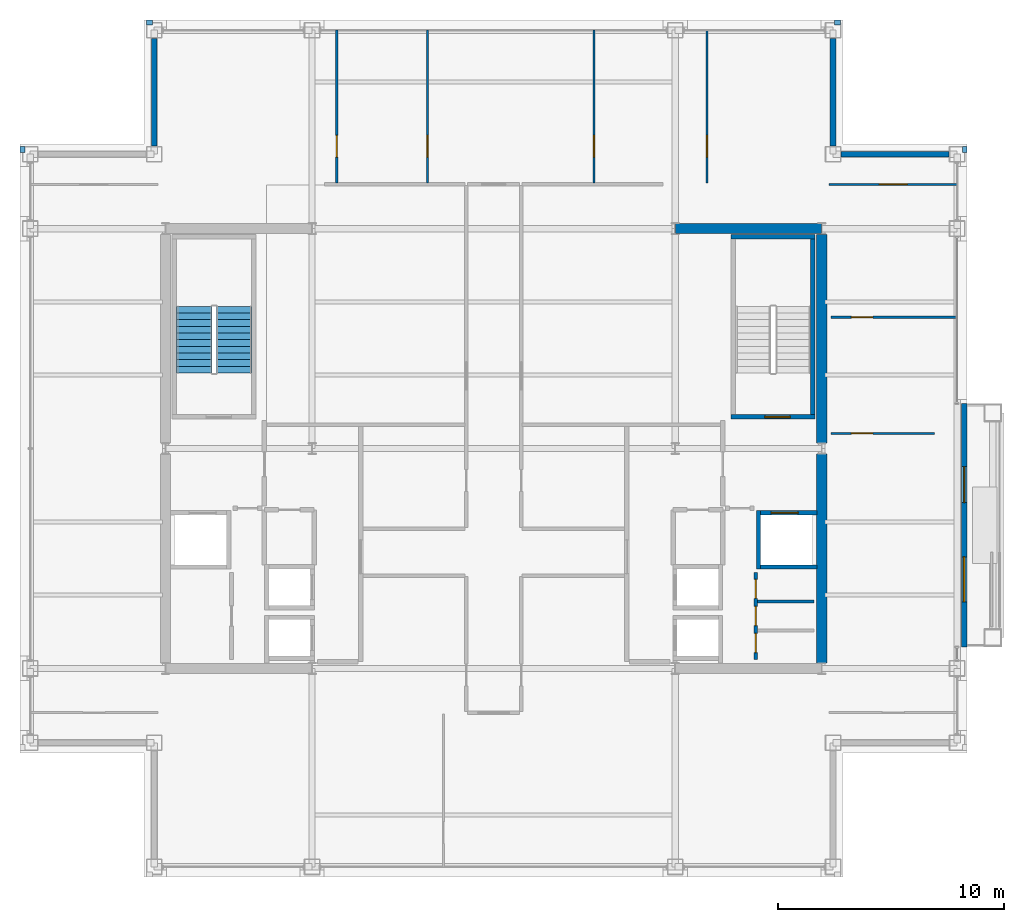
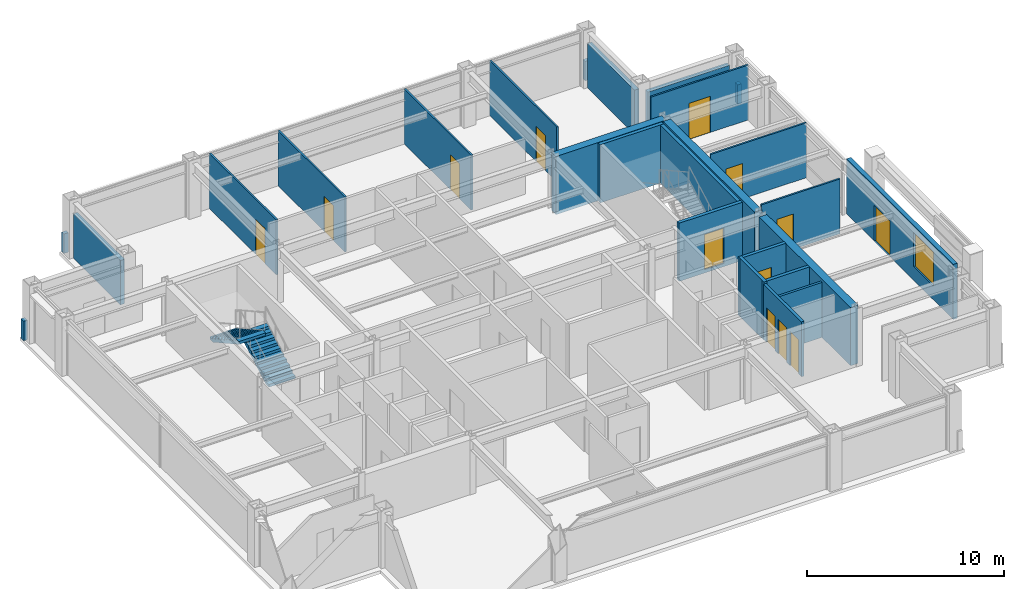
# One storey, part 26 of 29: 26 walls, 13 doors, 2 stair flights, 1 window, 14 openings, 1 element without a shape of its own.
"""IFC4 building model written with IfcOpenShell, lengths in metres."""

from ifc_helpers import new_model, si_unit, direction, frame, frame_2d, origin, place, context, subcontext, project, spatial, polyline, rectangle, outline, extrude, material, layer, layer_set, type_object, element, fill, aggregate, save


model = new_model("IFC4")

# Units and contexts
model_context = context("Model", 3, precision=1e-05, world=origin(), true_north=direction((0.0, 1.0)))
body_context = subcontext(model_context, "Body", "Model", "MODEL_VIEW")
ifc_project = project(units=[si_unit("LENGTHUNIT", "METRE"), si_unit("AREAUNIT", "SQUARE_METRE"), si_unit("VOLUMEUNIT", "CUBIC_METRE"), si_unit("PLANEANGLEUNIT", "RADIAN"), si_unit("MASSUNIT", "GRAM", prefix="KILO")], contexts=[model_context])

# Site, building, storey
site_placement = place(None, origin())
site = spatial("IfcSite", under=ifc_project, at=site_placement, CompositionType="ELEMENT")
building_placement = place(site_placement, origin())
building = spatial("IfcBuilding", under=site, at=building_placement, Name="Brelmoor Portico Tower", CompositionType="ELEMENT")
storey_placement = place(building_placement, frame((0.0, 0.0, 201.89990234375)))
storey = spatial("IfcBuildingStorey", under=building, at=storey_placement, Name="L53", CompositionType="ELEMENT", Elevation=201.89990234375)

# Walls
ifc_material_1 = material(Name="Concrete C50", Category="concrete")
ifc_layer_1 = layer(ifc_material_1, 0.449951171875)
ifc_layer_set_1 = layer_set([ifc_layer_1], Name="Concrete C50")
wall_type_1 = type_object("IfcWallType", Name="WL-CORE-450", PredefinedType="SHEAR", material=ifc_layer_set_1)
wall_1_placement = place(storey_placement, frame((8.070068359375, 9.75, -0.199951171875), z_axis=(0.0, 0.0, 1.0), x_axis=(1.0, 0.0, 0.0)))
element("IfcWall", 1, at=wall_1_placement, inside=storey, type_object=wall_type_1, Name="L53 EC North Shear Wall", PredefinedType="SHEAR", context=body_context, shape_type="SweptSolid", body=[
    extrude(rectangle(XDim=6.4599609375, YDim=0.449951171875, at=frame_2d((3.22998046875, 0.0))), origin(), (0.0, 0.0, 1.0), 3.60009765625),
])
for number, where, z_axis, x_axis, name in (
    (2, (14.550048828125, -9.5, -0.199951171875), (0.0, 0.0, 1.0), (0.0, 1.0, 0.0), "L53 EC Outer South Shear Wall"),
    (3, (14.550048828125, 0.25, -0.199951171875), (0.0, 0.0, 1.0), (0.0, 1.0, 0.0), "L53 EC Outer North Shear Wall"),
):
    element("IfcWall", number, at=place(storey_placement, frame(where, z_axis=z_axis, x_axis=x_axis)), inside=storey, type_object=wall_type_1, Name=name, PredefinedType="SHEAR", context=body_context, shape_type="SweptSolid", body=[
        extrude(rectangle(XDim=9.25, YDim=0.449951171875, at=frame_2d((4.625, 0.0))), origin(), (0.0, 0.0, 1.0), 3.60009765625),
    ])

# Wall, openings, door, window
ifc_material_2 = material(Name="Precast Concrete C40 Insulated Facade Wall", Category="concrete")
ifc_layer_2 = layer(ifc_material_2, 0.25)
ifc_layer_set_2 = layer_set([ifc_layer_2], Name="Precast Concrete C40 Insulated Facade Wall")
wall_type_2 = type_object("IfcWallType", Name="WL-EXT-250", PredefinedType="STANDARD", material=ifc_layer_set_2)
wall_2_placement = place(storey_placement, frame((20.860107421875, -8.800048828125, 0.0), z_axis=(0.0, 0.0, 1.0), x_axis=(0.0, 1.0, 0.0)))
wall_2 = element("IfcWall", 4, at=wall_2_placement, inside=storey, type_object=wall_type_2, Name="L53 Loggia Threshold Wall E-1", PredefinedType="STANDARD", context=body_context, shape_type="SweptSolid", body=[
    extrude(rectangle(XDim=10.800048828125, YDim=0.25, at=frame_2d((5.39990234375, 0.0))), origin(), (0.0, 0.0, 1.0), 3.400146484375),
])
opening_1_placement = place(wall_2_placement, frame((6.39990234375, 0.0, 0.0)))
opening_1 = element("IfcOpeningElement", 5, at=opening_1_placement, cuts=wall_2, Name="Opening D-TB1", PredefinedType="OPENING", context=body_context, shape_type="SweptSolid", body=[
    extrude(rectangle(XDim=1.60009765625, YDim=2.199951171875, at=frame_2d((0.800048828125, 1.10009765625))), frame((0.0, 0.135009765625, 0.0), z_axis=(0.0, -1.0, 0.0), x_axis=(1.0, 0.0, 0.0)), (0.0, 0.0, 1.0), 0.27001953125),
])
opening_2_placement = place(wall_2_placement, frame((2.0, 0.0, 0.85009765625)))
opening_2 = element("IfcOpeningElement", 6, at=opening_2_placement, cuts=wall_2, Name="Opening W-03", PredefinedType="OPENING", context=body_context, shape_type="SweptSolid", body=[
    extrude(rectangle(XDim=2.0, YDim=2.10009765625, at=frame_2d((1.0, 1.050048828125))), frame((0.0, 0.135009765625, 0.0), z_axis=(0.0, -1.0, 0.0), x_axis=(1.0, 0.0, 0.0)), (0.0, 0.0, 1.0), 0.27001953125),
])
ifc_material_3 = material(Name="Double-Leaf Thermally Broken Terrace Door", Category="aluminium")
door_type_1 = type_object("IfcDoorType", Name="DR-BALCONY-1600", OperationType="NOTDEFINED", PredefinedType="DOOR", material=ifc_material_3)
door_1_placement = place(opening_1_placement, origin())
door_1 = element("IfcDoor", 7, at=door_1_placement, inside=storey, type_object=door_type_1, Name="D-2251 L53 Tree Balcony Double Door E", OperationType="DOUBLE_DOOR_SINGLE_SWING", OverallHeight=2.199951171875, OverallWidth=1.60009765625, PredefinedType="DOOR", context=body_context, shape_type="SweptSolid", body=[
    extrude(rectangle(XDim=1.60009765625, YDim=2.199951171875, at=frame_2d((0.800048828125, 1.10009765625))), frame((0.0, 0.02490234375, 0.0), z_axis=(0.0, -1.0, 0.0), x_axis=(1.0, 0.0, 0.0)), (0.0, 0.0, 1.0), 0.050048828125),
])
fill(opening_1, door_1)
ifc_material_4 = material(Name="Thermally Broken Aluminium Low-E Window", Category="aluminium")
window_type = type_object("IfcWindowType", Name="WN-LOGGIA-2000x2100", PartitioningType="SINGLE_PANEL", PredefinedType="WINDOW", material=ifc_material_4)
window_placement = place(opening_2_placement, origin())
window = element("IfcWindow", 8, at=window_placement, inside=storey, type_object=window_type, Name="L53 Loggia Window E", OverallHeight=2.10009765625, OverallWidth=2.0, PartitioningType="SINGLE_PANEL", PredefinedType="WINDOW", context=body_context, shape_type="SweptSolid", body=[
    extrude(rectangle(XDim=2.0, YDim=2.10009765625, at=frame_2d((1.0, 1.050048828125))), frame((0.0, 0.030029296875, 0.0), z_axis=(0.0, -1.0, 0.0), x_axis=(1.0, 0.0, 0.0)), (0.0, 0.0, 1.0), 0.06005859375),
])
fill(opening_2, window)

# Walls
for number, where, z_axis, x_axis, name in (
    (9, (-15.050048828125, 13.409912109375, 0.0), (0.0, 0.0, 1.0), (0.0, 1.0, 0.0), "L53 Corner Notch Facade Wall NNWV1"),
    (10, (15.409912109375, 13.050048828125, 0.0), (0.0, 0.0, 1.0), (1.0, 0.0, 0.0), "L53 Corner Notch Facade Wall NNEH1"),
    (11, (15.050048828125, 13.409912109375, 0.0), (0.0, 0.0, 1.0), (0.0, 1.0, 0.0), "L53 Corner Notch Facade Wall NNEV1"),
):
    element("IfcWall", number, at=place(storey_placement, frame(where, z_axis=z_axis, x_axis=x_axis)), inside=storey, type_object=wall_type_2, Name=name, PredefinedType="STANDARD", context=body_context, shape_type="SweptSolid", body=[
        extrude(rectangle(XDim=4.780029296875, YDim=0.25, at=frame_2d((2.39013671875, 0.0))), origin(), (0.0, 0.0, 1.0), 2.75),
    ])
ifc_material_5 = material(Name="Concrete C40 Parapet Upstand", Category="concrete")
ifc_layer_3 = layer(ifc_material_5, 0.219970703125)
ifc_layer_set_3 = layer_set([ifc_layer_3], Name="Concrete C40 Parapet Upstand")
wall_type_3 = type_object("IfcWallType", Name="WL-PARAPET-220", PredefinedType="PARAPET", material=ifc_layer_set_3)
for number, where, z_axis, x_axis, name in (
    (12, (-15.389892578125, 18.889892578125, 0.0), (0.0, 0.0, 1.0), (1.0, 0.0, 0.0), "L53 Chamfer Vertex Parapet Pier NW1"),
    (13, (-20.889892578125, 13.1201171875, 0.0), (0.0, 0.0, 1.0), (0.0, 1.0, 0.0), "L53 Chamfer Vertex Parapet Pier NW2"),
    (14, (15.1201171875, 18.889892578125, 0.0), (0.0, 0.0, 1.0), (1.0, 0.0, 0.0), "L53 Chamfer Vertex Parapet Pier NE1"),
    (15, (20.889892578125, 13.1201171875, 0.0), (0.0, 0.0, 1.0), (0.0, 1.0, 0.0), "L53 Chamfer Vertex Parapet Pier NE2"),
):
    element("IfcWall", number, at=place(storey_placement, frame(where, z_axis=z_axis, x_axis=x_axis)), inside=storey, type_object=wall_type_3, Name=name, PredefinedType="PARAPET", context=body_context, shape_type="SweptSolid", body=[
        extrude(rectangle(XDim=0.269775390625, YDim=0.219970703125, at=frame_2d((0.134765625, 0.0))), origin(), (0.0, 0.0, 1.0), 1.2001953125),
    ])

# Wall, opening, door
ifc_material_6 = material(Name="Demountable Glazed Office Partition", Category="aluminium")
ifc_layer_4 = layer(ifc_material_6, 0.10009765625)
ifc_layer_set_4 = layer_set([ifc_layer_4], Name="Demountable Glazed Office Partition")
wall_type_4 = type_object("IfcWallType", Name="WL-PART-100", PredefinedType="PARTITIONING", material=ifc_layer_set_4)
wall_3_placement = place(storey_placement, frame((-6.955078125, 11.77001953125, 0.0), z_axis=(0.0, 0.0, 1.0), x_axis=(0.0, 1.0, 0.0)))
wall_3 = element("IfcWall", 16, at=wall_3_placement, inside=storey, type_object=wall_type_4, Name="L53 North Suite Partition 1", PredefinedType="PARTITIONING", context=body_context, shape_type="SweptSolid", body=[
    extrude(rectangle(XDim=6.7900390625, YDim=0.10009765625, at=frame_2d((3.39501953125, 0.0))), origin(), (0.0, 0.0, 1.0), 3.400146484375),
])
opening_3_placement = place(wall_3_placement, frame((1.14990234375, 0.0, 0.0)))
opening_3 = element("IfcOpeningElement", 17, at=opening_3_placement, cuts=wall_3, Name="Opening D-IN2", PredefinedType="OPENING", context=body_context, shape_type="SweptSolid", body=[
    extrude(rectangle(XDim=0.9599609375, YDim=2.179931640625, at=frame_2d((0.47998046875, 1.08984375))), frame((0.0, 0.06005859375, 0.0), z_axis=(0.0, -1.0, 0.0), x_axis=(1.0, 0.0, 0.0)), (0.0, 0.0, 1.0), 0.1201171875),
])
ifc_material_7 = material(Name="Lacquered Timber Suite Door", Category="wood")
door_type_2 = type_object("IfcDoorType", Name="DR-INT-950", OperationType="NOTDEFINED", PredefinedType="DOOR", material=ifc_material_7)
door_2_placement = place(opening_3_placement, origin())
door_2 = element("IfcDoor", 18, at=door_2_placement, inside=storey, type_object=door_type_2, Name="D-2239 L53 North Suite Connecting Door 1", OperationType="SINGLE_SWING_RIGHT", OverallHeight=2.179931640625, OverallWidth=0.9599609375, PredefinedType="DOOR", context=body_context, shape_type="SweptSolid", body=[
    extrude(rectangle(XDim=0.9599609375, YDim=2.179931640625, at=frame_2d((0.47998046875, 1.08984375))), frame((0.0, 0.02490234375, 0.0), z_axis=(0.0, -1.0, 0.0), x_axis=(1.0, 0.0, 0.0)), (0.0, 0.0, 1.0), 0.050048828125),
])
fill(opening_3, door_2)

wall_4_placement = place(storey_placement, frame((-2.9345703125, 11.77001953125, 0.0), z_axis=(0.0, 0.0, 1.0), x_axis=(0.0, 1.0, 0.0)))
wall_4 = element("IfcWall", 19, at=wall_4_placement, inside=storey, type_object=wall_type_4, Name="L53 North Suite Partition 2", PredefinedType="PARTITIONING", context=body_context, shape_type="SweptSolid", body=[
    extrude(rectangle(XDim=6.7900390625, YDim=0.10009765625, at=frame_2d((3.39501953125, 0.0))), origin(), (0.0, 0.0, 1.0), 3.400146484375),
])
opening_4_placement = place(wall_4_placement, frame((1.14990234375, 0.0, 0.0)))
opening_4 = element("IfcOpeningElement", 20, at=opening_4_placement, cuts=wall_4, Name="Opening D-IN2", PredefinedType="OPENING", context=body_context, shape_type="SweptSolid", body=[
    extrude(rectangle(XDim=0.9599609375, YDim=2.179931640625, at=frame_2d((0.47998046875, 1.08984375))), frame((0.0, 0.06005859375, 0.0), z_axis=(0.0, -1.0, 0.0), x_axis=(1.0, 0.0, 0.0)), (0.0, 0.0, 1.0), 0.1201171875),
])
door_3_placement = place(opening_4_placement, origin())
door_3 = element("IfcDoor", 21, at=door_3_placement, inside=storey, type_object=door_type_2, Name="D-2240 L53 North Suite Connecting Door 2", OperationType="SINGLE_SWING_LEFT", OverallHeight=2.179931640625, OverallWidth=0.9599609375, PredefinedType="DOOR", context=body_context, shape_type="SweptSolid", body=[
    extrude(rectangle(XDim=0.9599609375, YDim=2.179931640625, at=frame_2d((0.47998046875, 1.08984375))), frame((0.0, 0.02490234375, 0.0), z_axis=(0.0, -1.0, 0.0), x_axis=(1.0, 0.0, 0.0)), (0.0, 0.0, 1.0), 0.050048828125),
])
fill(opening_4, door_3)

wall_5_placement = place(storey_placement, frame((4.451171875, 11.77001953125, 0.0), z_axis=(0.0, 0.0, 1.0), x_axis=(0.0, 1.0, 0.0)))
wall_5 = element("IfcWall", 22, at=wall_5_placement, inside=storey, type_object=wall_type_4, Name="L53 North Suite Partition 3", PredefinedType="PARTITIONING", context=body_context, shape_type="SweptSolid", body=[
    extrude(rectangle(XDim=6.7900390625, YDim=0.10009765625, at=frame_2d((3.39501953125, 0.0))), origin(), (0.0, 0.0, 1.0), 3.400146484375),
])
opening_5_placement = place(wall_5_placement, frame((1.14990234375, 0.0, 0.0)))
opening_5 = element("IfcOpeningElement", 23, at=opening_5_placement, cuts=wall_5, Name="Opening D-IN2", PredefinedType="OPENING", context=body_context, shape_type="SweptSolid", body=[
    extrude(rectangle(XDim=0.9599609375, YDim=2.179931640625, at=frame_2d((0.47998046875, 1.08984375))), frame((0.0, 0.06005859375, 0.0), z_axis=(0.0, -1.0, 0.0), x_axis=(1.0, 0.0, 0.0)), (0.0, 0.0, 1.0), 0.1201171875),
])
door_4_placement = place(opening_5_placement, origin())
door_4 = element("IfcDoor", 24, at=door_4_placement, inside=storey, type_object=door_type_2, Name="D-2241 L53 North Suite Connecting Door 3", OperationType="SINGLE_SWING_RIGHT", OverallHeight=2.179931640625, OverallWidth=0.9599609375, PredefinedType="DOOR", context=body_context, shape_type="SweptSolid", body=[
    extrude(rectangle(XDim=0.9599609375, YDim=2.179931640625, at=frame_2d((0.47998046875, 1.08984375))), frame((0.0, 0.02490234375, 0.0), z_axis=(0.0, -1.0, 0.0), x_axis=(1.0, 0.0, 0.0)), (0.0, 0.0, 1.0), 0.050048828125),
])
fill(opening_5, door_4)

wall_6_placement = place(storey_placement, frame((9.458740234375, 11.77001953125, 0.0), z_axis=(0.0, 0.0, 1.0), x_axis=(0.0, 1.0, 0.0)))
wall_6 = element("IfcWall", 25, at=wall_6_placement, inside=storey, type_object=wall_type_4, Name="L53 North Suite Partition 4", PredefinedType="PARTITIONING", context=body_context, shape_type="SweptSolid", body=[
    extrude(rectangle(XDim=6.7900390625, YDim=0.10009765625, at=frame_2d((3.39501953125, 0.0))), origin(), (0.0, 0.0, 1.0), 3.400146484375),
])
opening_6_placement = place(wall_6_placement, frame((1.14990234375, 0.0, 0.0)))
opening_6 = element("IfcOpeningElement", 26, at=opening_6_placement, cuts=wall_6, Name="Opening D-IN2", PredefinedType="OPENING", context=body_context, shape_type="SweptSolid", body=[
    extrude(rectangle(XDim=0.9599609375, YDim=2.179931640625, at=frame_2d((0.47998046875, 1.08984375))), frame((0.0, 0.06005859375, 0.0), z_axis=(0.0, -1.0, 0.0), x_axis=(1.0, 0.0, 0.0)), (0.0, 0.0, 1.0), 0.1201171875),
])
door_5_placement = place(opening_6_placement, origin())
door_5 = element("IfcDoor", 27, at=door_5_placement, inside=storey, type_object=door_type_2, Name="D-2242 L53 North Suite Connecting Door 4", OperationType="SINGLE_SWING_LEFT", OverallHeight=2.179931640625, OverallWidth=0.9599609375, PredefinedType="DOOR", context=body_context, shape_type="SweptSolid", body=[
    extrude(rectangle(XDim=0.9599609375, YDim=2.179931640625, at=frame_2d((0.47998046875, 1.08984375))), frame((0.0, 0.02490234375, 0.0), z_axis=(0.0, -1.0, 0.0), x_axis=(1.0, 0.0, 0.0)), (0.0, 0.0, 1.0), 0.050048828125),
])
fill(opening_6, door_5)

wall_7_placement = place(storey_placement, frame((14.8798828125, 11.7099609375, 0.0), z_axis=(0.0, 0.0, 1.0), x_axis=(1.0, 0.0, 0.0)))
wall_7 = element("IfcWall", 28, at=wall_7_placement, inside=storey, type_object=wall_type_4, Name="L53 North Wing Suite Wall ER", PredefinedType="PARTITIONING", context=body_context, shape_type="SweptSolid", body=[
    extrude(rectangle(XDim=5.68017578125, YDim=0.10009765625, at=frame_2d((2.840087890625, 0.0))), origin(), (0.0, 0.0, 1.0), 3.400146484375),
])
opening_7_placement = place(wall_7_placement, frame((2.219970703125, 0.0, 0.0)))
opening_7 = element("IfcOpeningElement", 29, at=opening_7_placement, cuts=wall_7, Name="Opening D-SU1", PredefinedType="OPENING", context=body_context, shape_type="SweptSolid", body=[
    extrude(rectangle(XDim=1.239990234375, YDim=2.239990234375, at=frame_2d((0.6201171875, 1.1201171875))), frame((0.0, 0.06005859375, 0.0), z_axis=(0.0, -1.0, 0.0), x_axis=(1.0, 0.0, 0.0)), (0.0, 0.0, 1.0), 0.1201171875),
])
ifc_material_8 = material(Name="Glazed Timber Executive Suite Door", Category="wood")
door_type_3 = type_object("IfcDoorType", Name="DR-SUITE-1200", OperationType="NOTDEFINED", PredefinedType="DOOR", material=ifc_material_8)
door_6_placement = place(opening_7_placement, origin())
door_6 = element("IfcDoor", 30, at=door_6_placement, inside=storey, type_object=door_type_3, Name="D-2243 L53 ER Wing Suite Connecting Door", OperationType="SINGLE_SWING_RIGHT", OverallHeight=2.239990234375, OverallWidth=1.239990234375, PredefinedType="DOOR", context=body_context, shape_type="SweptSolid", body=[
    extrude(rectangle(XDim=1.239990234375, YDim=2.239990234375, at=frame_2d((0.6201171875, 1.1201171875))), frame((0.0, 0.02490234375, 0.0), z_axis=(0.0, -1.0, 0.0), x_axis=(1.0, 0.0, 0.0)), (0.0, 0.0, 1.0), 0.050048828125),
])
fill(opening_7, door_6)

wall_8_placement = place(storey_placement, frame((14.9599609375, 0.669921875, 0.0), z_axis=(0.0, 0.0, 1.0), x_axis=(1.0, 0.0, 0.0)))
wall_8 = element("IfcWall", 31, at=wall_8_placement, inside=storey, type_object=wall_type_4, Name="L53 E Wing Partition 1", PredefinedType="PARTITIONING", context=body_context, shape_type="SweptSolid", body=[
    extrude(rectangle(XDim=4.590087890625, YDim=0.10009765625, at=frame_2d((2.294921875, 0.0))), origin(), (0.0, 0.0, 1.0), 3.400146484375),
])
opening_8_placement = place(wall_8_placement, frame((0.89990234375, 0.0, 0.0)))
opening_8 = element("IfcOpeningElement", 32, at=opening_8_placement, cuts=wall_8, Name="Opening D-IN2", PredefinedType="OPENING", context=body_context, shape_type="SweptSolid", body=[
    extrude(rectangle(XDim=0.9599609375, YDim=2.179931640625, at=frame_2d((0.47998046875, 1.08984375))), frame((0.0, 0.06005859375, 0.0), z_axis=(0.0, -1.0, 0.0), x_axis=(1.0, 0.0, 0.0)), (0.0, 0.0, 1.0), 0.1201171875),
])
door_7_placement = place(opening_8_placement, origin())
door_7 = element("IfcDoor", 33, at=door_7_placement, inside=storey, type_object=door_type_2, Name="D-2252 L53 E Wing Suite Connecting Door 1", OperationType="SINGLE_SWING_RIGHT", OverallHeight=2.179931640625, OverallWidth=0.9599609375, PredefinedType="DOOR", context=body_context, shape_type="SweptSolid", body=[
    extrude(rectangle(XDim=0.9599609375, YDim=2.179931640625, at=frame_2d((0.47998046875, 1.08984375))), frame((0.0, 0.02490234375, 0.0), z_axis=(0.0, -1.0, 0.0), x_axis=(1.0, 0.0, 0.0)), (0.0, 0.0, 1.0), 0.050048828125),
])
fill(opening_8, door_7)

wall_9_placement = place(storey_placement, frame((14.9599609375, 5.81494140625, 0.0), z_axis=(0.0, 0.0, 1.0), x_axis=(1.0, 0.0, 0.0)))
wall_9 = element("IfcWall", 34, at=wall_9_placement, inside=storey, type_object=wall_type_4, Name="L53 E Wing Partition 2", PredefinedType="PARTITIONING", context=body_context, shape_type="SweptSolid", body=[
    extrude(rectangle(XDim=5.60009765625, YDim=0.10009765625, at=frame_2d((2.800048828125, 0.0))), origin(), (0.0, 0.0, 1.0), 3.400146484375),
])
opening_9_placement = place(wall_9_placement, frame((0.89990234375, 0.0, 0.0)))
opening_9 = element("IfcOpeningElement", 35, at=opening_9_placement, cuts=wall_9, Name="Opening D-IN2", PredefinedType="OPENING", context=body_context, shape_type="SweptSolid", body=[
    extrude(rectangle(XDim=0.9599609375, YDim=2.179931640625, at=frame_2d((0.47998046875, 1.08984375))), frame((0.0, 0.06005859375, 0.0), z_axis=(0.0, -1.0, 0.0), x_axis=(1.0, 0.0, 0.0)), (0.0, 0.0, 1.0), 0.1201171875),
])
door_8_placement = place(opening_9_placement, origin())
door_8 = element("IfcDoor", 36, at=door_8_placement, inside=storey, type_object=door_type_2, Name="D-2253 L53 E Wing Suite Connecting Door 2", OperationType="SINGLE_SWING_LEFT", OverallHeight=2.179931640625, OverallWidth=0.9599609375, PredefinedType="DOOR", context=body_context, shape_type="SweptSolid", body=[
    extrude(rectangle(XDim=0.9599609375, YDim=2.179931640625, at=frame_2d((0.47998046875, 1.08984375))), frame((0.0, 0.02490234375, 0.0), z_axis=(0.0, -1.0, 0.0), x_axis=(1.0, 0.0, 0.0)), (0.0, 0.0, 1.0), 0.050048828125),
])
fill(opening_9, door_8)

# Wall
ifc_material_9 = material(Name="Insulated Stud Suite Partition", Category="gypsum")
ifc_layer_5 = layer(ifc_material_9, 0.139892578125)
ifc_layer_set_5 = layer_set([ifc_layer_5], Name="Insulated Stud Suite Partition")
wall_type_5 = type_object("IfcWallType", Name="WL-PART-140", PredefinedType="PARTITIONING", material=ifc_layer_set_5)
wall_10_placement = place(storey_placement, frame((11.699951171875, -6.783203125, 0.0), z_axis=(0.0, 0.0, 1.0), x_axis=(1.0, 0.0, 0.0)))
element("IfcWall", 37, at=wall_10_placement, inside=storey, type_object=wall_type_5, Name="L53 E Core WC Divider 2", PredefinedType="PARTITIONING", context=body_context, shape_type="SweptSolid", body=[
    extrude(rectangle(XDim=2.5, YDim=0.139892578125, at=frame_2d((1.25, 0.0))), origin(), (0.0, 0.0, 1.0), 3.400146484375),
])

# Wall, openings, doors
ifc_material_10 = material(Name="Twin-Frame Acoustic Partition", Category="gypsum")
ifc_layer_6 = layer(ifc_material_10, 0.159912109375)
ifc_layer_set_6 = layer_set([ifc_layer_6], Name="Twin-Frame Acoustic Partition")
wall_type_6 = type_object("IfcWallType", Name="WL-PART-160", PredefinedType="PARTITIONING", material=ifc_layer_set_6)
wall_11_placement = place(storey_placement, frame((11.6201171875, -9.35009765625, 0.0), z_axis=(0.0, 0.0, 1.0), x_axis=(0.0, 1.0, 0.0)))
wall_11 = element("IfcWall", 38, at=wall_11_placement, inside=storey, type_object=wall_type_6, Name="L53 E Core Service Front Wall", PredefinedType="PARTITIONING", context=body_context, shape_type="SweptSolid", body=[
    extrude(rectangle(XDim=3.85009765625, YDim=0.159912109375, at=frame_2d((1.925048828125, 0.0))), origin(), (0.0, 0.0, 1.0), 3.400146484375),
])
opening_10_placement = place(wall_11_placement, frame((0.300048828125, 0.0, 0.0)))
opening_10 = element("IfcOpeningElement", 39, at=opening_10_placement, cuts=wall_11, Name="Opening D-WC1", PredefinedType="OPENING", context=body_context, shape_type="SweptSolid", body=[
    extrude(rectangle(XDim=0.85009765625, YDim=2.1201171875, at=frame_2d((0.425048828125, 1.06005859375))), frame((0.0, 0.08984375, 0.0), z_axis=(0.0, -1.0, 0.0), x_axis=(1.0, 0.0, 0.0)), (0.0, 0.0, 1.0), 0.179931640625),
])
opening_11_placement = place(wall_11_placement, frame((1.5, 0.0, 0.0)))
opening_11 = element("IfcOpeningElement", 40, at=opening_11_placement, cuts=wall_11, Name="Opening D-WC1", PredefinedType="OPENING", context=body_context, shape_type="SweptSolid", body=[
    extrude(rectangle(XDim=0.85009765625, YDim=2.1201171875, at=frame_2d((0.425048828125, 1.06005859375))), frame((0.0, 0.08984375, 0.0), z_axis=(0.0, -1.0, 0.0), x_axis=(1.0, 0.0, 0.0)), (0.0, 0.0, 1.0), 0.179931640625),
])
opening_12_placement = place(wall_11_placement, frame((2.699951171875, 0.0, 0.0)))
opening_12 = element("IfcOpeningElement", 41, at=opening_12_placement, cuts=wall_11, Name="Opening D-WC1", PredefinedType="OPENING", context=body_context, shape_type="SweptSolid", body=[
    extrude(rectangle(XDim=0.85009765625, YDim=2.1201171875, at=frame_2d((0.425048828125, 1.06005859375))), frame((0.0, 0.08984375, 0.0), z_axis=(0.0, -1.0, 0.0), x_axis=(1.0, 0.0, 0.0)), (0.0, 0.0, 1.0), 0.179931640625),
])
ifc_material_11 = material(Name="Moisture-Resistant Laminate WC Door", Category="timber")
door_type_4 = type_object("IfcDoorType", Name="DR-WC-850", OperationType="NOTDEFINED", PredefinedType="DOOR", material=ifc_material_11)
door_9_placement = place(opening_10_placement, origin())
door_9 = element("IfcDoor", 42, at=door_9_placement, inside=storey, type_object=door_type_4, Name="D-2226 L53 E Male WC Door", OperationType="SINGLE_SWING_LEFT", OverallHeight=2.1201171875, OverallWidth=0.85009765625, PredefinedType="DOOR", context=body_context, shape_type="SweptSolid", body=[
    extrude(rectangle(XDim=0.85009765625, YDim=2.1201171875, at=frame_2d((0.425048828125, 1.06005859375))), frame((0.0, 0.02490234375, 0.0), z_axis=(0.0, -1.0, 0.0), x_axis=(1.0, 0.0, 0.0)), (0.0, 0.0, 1.0), 0.050048828125),
])
fill(opening_10, door_9)
door_10_placement = place(opening_11_placement, origin())
door_10 = element("IfcDoor", 43, at=door_10_placement, inside=storey, type_object=door_type_4, Name="D-2227 L53 E Female WC Door", OperationType="SINGLE_SWING_RIGHT", OverallHeight=2.1201171875, OverallWidth=0.85009765625, PredefinedType="DOOR", context=body_context, shape_type="SweptSolid", body=[
    extrude(rectangle(XDim=0.85009765625, YDim=2.1201171875, at=frame_2d((0.425048828125, 1.06005859375))), frame((0.0, 0.02490234375, 0.0), z_axis=(0.0, -1.0, 0.0), x_axis=(1.0, 0.0, 0.0)), (0.0, 0.0, 1.0), 0.050048828125),
])
fill(opening_11, door_10)
door_11_placement = place(opening_12_placement, origin())
door_11 = element("IfcDoor", 44, at=door_11_placement, inside=storey, type_object=door_type_4, Name="D-2228 L53 E Janitor Store Door", OperationType="SINGLE_SWING_LEFT", OverallHeight=2.1201171875, OverallWidth=0.85009765625, PredefinedType="DOOR", context=body_context, shape_type="SweptSolid", body=[
    extrude(rectangle(XDim=0.85009765625, YDim=2.1201171875, at=frame_2d((0.425048828125, 1.06005859375))), frame((0.0, 0.02490234375, 0.0), z_axis=(0.0, -1.0, 0.0), x_axis=(1.0, 0.0, 0.0)), (0.0, 0.0, 1.0), 0.050048828125),
])
fill(opening_12, door_11)

# Wall, opening, door
ifc_material_12 = material(Name="Precast Concrete C40", Category="concrete")
ifc_layer_7 = layer(ifc_material_12, 0.18994140625)
ifc_layer_set_7 = layer_set([ifc_layer_7], Name="Precast Concrete C40")
wall_type_7 = type_object("IfcWallType", Name="WL-SHAFT-180", PredefinedType="SOLIDWALL", material=ifc_layer_set_7)
wall_12_placement = place(storey_placement, frame((11.64990234375, -2.844970703125, -0.199951171875), z_axis=(0.0, 0.0, 1.0), x_axis=(1.0, 0.0, 0.0)))
wall_12 = element("IfcWall", 45, at=wall_12_placement, inside=storey, type_object=wall_type_7, Name="L53 Lift FF2 Hoistway Front Wall", PredefinedType="SOLIDWALL", context=body_context, shape_type="SweptSolid", body=[
    extrude(rectangle(XDim=2.68017578125, YDim=0.18994140625, at=frame_2d((1.340087890625, 0.0))), origin(), (0.0, 0.0, 1.0), 3.60009765625),
])
opening_13_placement = place(wall_12_placement, frame((0.64990234375, 0.0, 0.199951171875)))
opening_13 = element("IfcOpeningElement", 46, at=opening_13_placement, cuts=wall_12, Name="Opening LD-02", PredefinedType="OPENING", context=body_context, shape_type="SweptSolid", body=[
    extrude(rectangle(XDim=1.199951171875, YDim=2.199951171875, at=frame_2d((0.60009765625, 1.10009765625))), frame((0.0, 0.10498046875, 0.0), z_axis=(0.0, -1.0, 0.0), x_axis=(1.0, 0.0, 0.0)), (0.0, 0.0, 1.0), 0.2099609375),
])
ifc_material_13 = material(Name="Brushed Stainless Steel Firefighting Lift Door", Category="steel")
door_type_5 = type_object("IfcDoorType", Name="DR-LIFT-1200", OperationType="NOTDEFINED", PredefinedType="DOOR", material=ifc_material_13)
door_12_placement = place(opening_13_placement, origin())
door_12 = element("IfcDoor", 47, at=door_12_placement, inside=storey, type_object=door_type_5, Name="D-2255 L53 Lift FF2 Sliding Landing Door", OperationType="SLIDING_TO_LEFT", OverallHeight=2.199951171875, OverallWidth=1.199951171875, PredefinedType="DOOR", context=body_context, shape_type="SweptSolid", body=[
    extrude(rectangle(XDim=1.199951171875, YDim=2.199951171875, at=frame_2d((0.60009765625, 1.10009765625))), frame((0.0, 0.02490234375, 0.0), z_axis=(0.0, -1.0, 0.0), x_axis=(1.0, 0.0, 0.0)), (0.0, 0.0, 1.0), 0.050048828125),
])
fill(opening_13, door_12)

# Walls
wall_13_placement = place(storey_placement, frame((11.64990234375, -5.2548828125, -0.199951171875), z_axis=(0.0, 0.0, 1.0), x_axis=(1.0, 0.0, 0.0)))
element("IfcWall", 48, at=wall_13_placement, inside=storey, type_object=wall_type_7, Name="L53 Firefighting Lift FF2 South Wall", PredefinedType="SOLIDWALL", context=body_context, shape_type="SweptSolid", body=[
    extrude(rectangle(XDim=2.68017578125, YDim=0.18994140625, at=frame_2d((1.340087890625, 0.0))), origin(), (0.0, 0.0, 1.0), 3.60009765625),
])
wall_14_placement = place(storey_placement, frame((11.7451171875, -5.35009765625, -0.199951171875), z_axis=(0.0, 0.0, 1.0), x_axis=(0.0, 1.0, 0.0)))
element("IfcWall", 49, at=wall_14_placement, inside=storey, type_object=wall_type_7, Name="L53 Firefighting Lift FF2 Inner Wall", PredefinedType="SOLIDWALL", context=body_context, shape_type="SweptSolid", body=[
    extrude(rectangle(XDim=2.60009765625, YDim=0.18994140625, at=frame_2d((1.300048828125, 0.0))), origin(), (0.0, 0.0, 1.0), 3.60009765625),
])
ifc_material_14 = material(Name="Concrete C40", Category="concrete")
ifc_layer_8 = layer(ifc_material_14, 0.199951171875)
ifc_layer_set_8 = layer_set([ifc_layer_8], Name="Concrete C40")
wall_type_8 = type_object("IfcWallType", Name="WL-SHAFT-RC200", PredefinedType="SOLIDWALL", material=ifc_layer_set_8)
wall_15_placement = place(storey_placement, frame((14.14990234375, 1.5, -0.199951171875), z_axis=(0.0, 0.0, 1.0), x_axis=(0.0, 1.0, 0.0)))
element("IfcWall", 50, at=wall_15_placement, inside=storey, type_object=wall_type_8, Name="L53 ST-E Structural Stair Wall Outer", PredefinedType="SOLIDWALL", context=body_context, shape_type="SweptSolid", body=[
    extrude(rectangle(XDim=7.800048828125, YDim=0.199951171875, at=frame_2d((3.89990234375, 0.0))), origin(), (0.0, 0.0, 1.0), 3.60009765625),
])

# Wall, opening, door
wall_16_placement = place(storey_placement, frame((10.530029296875, 1.39990234375, -0.199951171875), z_axis=(0.0, 0.0, 1.0), x_axis=(1.0, 0.0, 0.0)))
wall_16 = element("IfcWall", 51, at=wall_16_placement, inside=storey, type_object=wall_type_8, Name="L53 ST-E Structural Stair Wall S", PredefinedType="SOLIDWALL", context=body_context, shape_type="SweptSolid", body=[
    extrude(rectangle(XDim=3.719970703125, YDim=0.199951171875, at=frame_2d((1.85986328125, 0.0))), origin(), (0.0, 0.0, 1.0), 3.60009765625),
])
opening_14_placement = place(wall_16_placement, frame((1.5, 0.0, 0.199951171875)))
opening_14 = element("IfcOpeningElement", 52, at=opening_14_placement, cuts=wall_16, Name="Opening D-ST1", PredefinedType="OPENING", context=body_context, shape_type="SweptSolid", body=[
    extrude(rectangle(XDim=1.1201171875, YDim=2.179931640625, at=frame_2d((0.56005859375, 1.08984375))), frame((0.0, 0.10986328125, 0.0), z_axis=(0.0, -1.0, 0.0), x_axis=(1.0, 0.0, 0.0)), (0.0, 0.0, 1.0), 0.219970703125),
])
ifc_material_15 = material(Name="Painted Galvanised Steel Fire Door", Category="steel")
door_type_6 = type_object("IfcDoorType", Name="DR-STAIR-1100", OperationType="NOTDEFINED", PredefinedType="DOOR", material=ifc_material_15)
door_13_placement = place(opening_14_placement, origin())
door_13 = element("IfcDoor", 53, at=door_13_placement, inside=storey, type_object=door_type_6, Name="D-2247 L53 ST-E Protected Exit Stair Door", OperationType="SINGLE_SWING_RIGHT", OverallHeight=2.179931640625, OverallWidth=1.1201171875, PredefinedType="DOOR", context=body_context, shape_type="SweptSolid", body=[
    extrude(rectangle(XDim=1.1201171875, YDim=2.179931640625, at=frame_2d((0.56005859375, 1.08984375))), frame((0.0, 0.02490234375, 0.0), z_axis=(0.0, -1.0, 0.0), x_axis=(1.0, 0.0, 0.0)), (0.0, 0.0, 1.0), 0.050048828125),
])
fill(opening_14, door_13)

# Wall
wall_17_placement = place(storey_placement, frame((10.530029296875, 9.39990234375, -0.199951171875), z_axis=(0.0, 0.0, 1.0), x_axis=(1.0, 0.0, 0.0)))
element("IfcWall", 54, at=wall_17_placement, inside=storey, type_object=wall_type_8, Name="L53 ST-E Structural Stair Wall N", PredefinedType="SOLIDWALL", context=body_context, shape_type="SweptSolid", body=[
    extrude(rectangle(XDim=3.719970703125, YDim=0.199951171875, at=frame_2d((1.85986328125, 0.0))), origin(), (0.0, 0.0, 1.0), 3.60009765625),
])

# Stair, stair flights
stair_type = type_object("IfcStairType", Name="ST-CORE-W", PredefinedType="HALF_TURN_STAIR", material=ifc_material_14)
stair_placement = place(storey_placement, origin())
stair = element("IfcStair", 55, at=stair_placement, inside=storey, type_object=stair_type, Name="L53 Protected Core Exit Stair ST-W", PredefinedType="HALF_TURN_STAIR")
stair_flight_type = type_object("IfcStairFlightType", Name="SF-CORE-1850", PredefinedType="STRAIGHT", material=ifc_material_14)
stair_flight_1_placement = place(storey_placement, frame((-11.510009765625, 3.35009765625, 0.0), z_axis=(0.0, 0.0, 1.0), x_axis=(0.0, 1.0, 0.0)))
stair_flight_1 = element("IfcStairFlight", 56, at=stair_flight_1_placement, type_object=stair_flight_type, Name="ST-W flight 1", NumberOfRisers=11, NumberOfTreads=10, PredefinedType="STRAIGHT", RiserHeight=0.163636364, TreadLength=0.295, context=body_context, shape_type="SweptSolid", body=[
    extrude(outline(polyline([(0.0, 0.0), (0.0, 0.16357421875), (0.294921875, 0.16357421875), (0.294921875, 0.327392578125), (0.590087890625, 0.327392578125), (0.590087890625, 0.490966796875), (0.885009765625, 0.490966796875), (0.885009765625, 0.654541015625), (1.179931640625, 0.654541015625), (1.179931640625, 0.818115234375), (1.47509765625, 0.818115234375), (1.47509765625, 0.98193359375), (1.77001953125, 0.98193359375), (1.77001953125, 1.1455078125), (2.06494140625, 1.1455078125), (2.06494140625, 1.30908203125), (2.360107421875, 1.30908203125), (2.360107421875, 1.47265625), (2.655029296875, 1.47265625), (2.655029296875, 1.636474609375), (2.949951171875, 1.636474609375), (2.949951171875, 1.800048828125), (2.949951171875, 1.46484375), (0.30908203125, 0.0), (0.0, 0.0)])), frame((0.0, 0.780029296875, 0.0), z_axis=(0.0, -1.0, 0.0), x_axis=(1.0, 0.0, 0.0)), (0.0, 0.0, 1.0), 1.56005859375),
])
stair_flight_2_placement = place(storey_placement, frame((-13.27001953125, 6.300048828125, 1.800048828125), z_axis=(0.0, 0.0, 1.0), x_axis=(0.0, -1.0, 0.0)))
stair_flight_2 = element("IfcStairFlight", 57, at=stair_flight_2_placement, type_object=stair_flight_type, Name="ST-W flight 2", NumberOfRisers=11, NumberOfTreads=10, PredefinedType="STRAIGHT", RiserHeight=0.163636364, TreadLength=0.295, context=body_context, shape_type="SweptSolid", body=[
    extrude(outline(polyline([(0.0, 0.0), (0.0, 0.16357421875), (0.294921875, 0.16357421875), (0.294921875, 0.327392578125), (0.590087890625, 0.327392578125), (0.590087890625, 0.490966796875), (0.885009765625, 0.490966796875), (0.885009765625, 0.654541015625), (1.179931640625, 0.654541015625), (1.179931640625, 0.818115234375), (1.47509765625, 0.818115234375), (1.47509765625, 0.98193359375), (1.77001953125, 0.98193359375), (1.77001953125, 1.1455078125), (2.06494140625, 1.1455078125), (2.06494140625, 1.30908203125), (2.360107421875, 1.30908203125), (2.360107421875, 1.47265625), (2.655029296875, 1.47265625), (2.655029296875, 1.636474609375), (2.949951171875, 1.636474609375), (2.949951171875, 1.800048828125), (2.949951171875, 1.46484375), (0.30908203125, 0.0), (0.0, 0.0)])), frame((0.0, 0.780029296875, 0.0), z_axis=(0.0, -1.0, 0.0), x_axis=(1.0, 0.0, 0.0)), (0.0, 0.0, 1.0), 1.56005859375),
])
aggregate(stair, [stair_flight_1, stair_flight_2])

save(model, "model.ifc")
